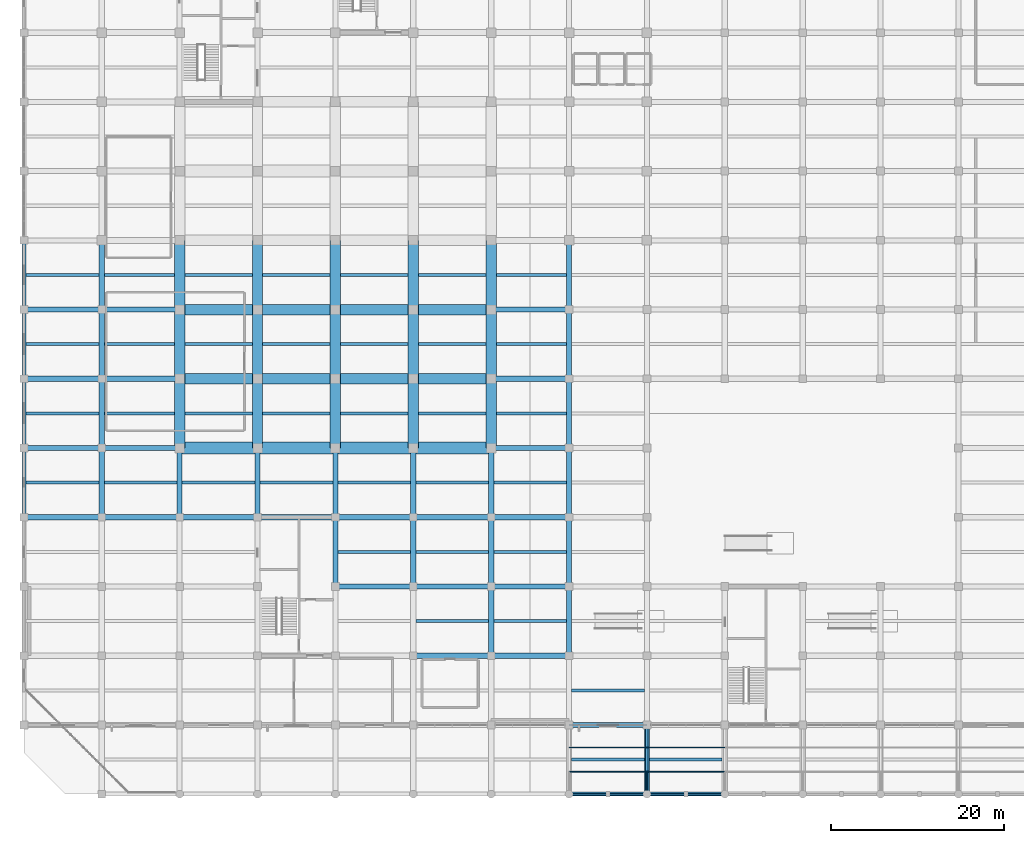
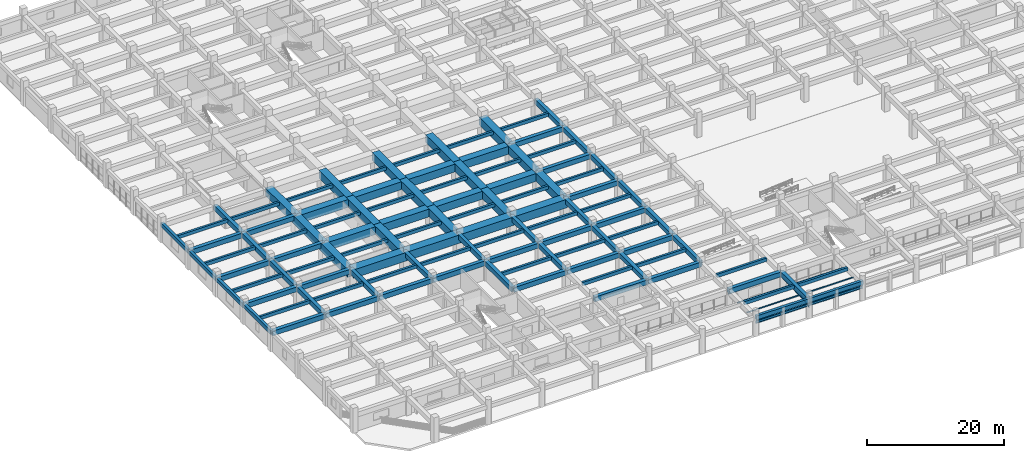
# One storey, part 4 of 40: 113 beams, 7 members.
"""IFC4 building model written with IfcOpenShell, lengths in metres."""

from ifc_helpers import new_model, si_unit, direction, frame, origin, origin_2d, place, context, subcontext, project, spatial, rectangle, hollow_rectangle, hollow_circle, i_section, extrude, material, material_profile, profile_set, type_object, element, save


model = new_model("IFC4")

# Units and contexts
model_context = context("Model", 3, precision=1e-05, world=origin(), true_north=direction((0.0, 1.0)))
body_context = subcontext(model_context, "Body", "Model", "MODEL_VIEW")
ifc_project = project(units=[si_unit("LENGTHUNIT", "METRE"), si_unit("AREAUNIT", "SQUARE_METRE"), si_unit("VOLUMEUNIT", "CUBIC_METRE"), si_unit("PLANEANGLEUNIT", "RADIAN"), si_unit("MASSUNIT", "GRAM", prefix="KILO")], contexts=[model_context])

# Site, building, storey
site_placement = place(None, origin())
site = spatial("IfcSite", under=ifc_project, at=site_placement, CompositionType="ELEMENT")
building_placement = place(site_placement, origin())
building = spatial("IfcBuilding", under=site, at=building_placement, Name="Zaverband Oceanarium and Marine Research Institute", CompositionType="ELEMENT")
storey_placement = place(building_placement, origin())
storey = spatial("IfcBuildingStorey", under=building, at=storey_placement, Name="L00", CompositionType="ELEMENT", Elevation=0.0)

# Beams
ifc_material_1 = material(Name="Concrete C40/50", Category="concrete")
ifc_material_profile_1 = material_profile(ifc_material_1, rectangle(XDim=0.60009765625, YDim=0.85009765625, at=origin_2d()), Name="RC600x850")
ifc_profile_set_1 = profile_set([ifc_material_profile_1], Name="Concrete C40/50")
beam_type_1 = type_object("IfcBeamType", Name="BM-600x850", PredefinedType="BEAM", material=ifc_profile_set_1)
for number, where, z_axis, x_axis, name in (
    (1, (63.0, 8.0, 3.02490234375), (1.0, 0.0, 0.0), (0.0, 1.0, 0.0), "Primary floor girder BM-600x850"),
    (2, (45.0, 16.0, 3.02490234375), (1.0, 0.0, 0.0), (0.0, 1.0, 0.0), "Primary floor girder BM-600x850"),
    (3, (54.0, 16.0, 3.02490234375), (1.0, 0.0, 0.0), (0.0, 1.0, 0.0), "Primary floor girder BM-600x850"),
    (4, (36.0, 24.0, 3.02490234375), (1.0, 0.0, 0.0), (0.0, 1.0, 0.0), "Primary floor girder BM-600x850"),
    (5, (45.0, 24.0, 3.02490234375), (1.0, 0.0, 0.0), (0.0, 1.0, 0.0), "Primary floor girder BM-600x850"),
    (6, (54.0, 24.0, 3.02490234375), (1.0, 0.0, 0.0), (0.0, 1.0, 0.0), "Primary floor girder BM-600x850"),
    (7, (0.0, 32.0, 3.02490234375), (1.0, 0.0, 0.0), (0.0, 1.0, 0.0), "Primary floor girder BM-600x850"),
    (8, (9.0, 32.0, 3.02490234375), (1.0, 0.0, 0.0), (0.0, 1.0, 0.0), "Primary floor girder BM-600x850"),
    (9, (18.0, 32.0, 3.02490234375), (1.0, 0.0, 0.0), (0.0, 1.0, 0.0), "Primary floor girder BM-600x850"),
    (10, (27.0, 32.0, 3.02490234375), (1.0, 0.0, 0.0), (0.0, 1.0, 0.0), "Primary floor girder BM-600x850"),
    (11, (36.0, 32.0, 3.02490234375), (1.0, 0.0, 0.0), (0.0, 1.0, 0.0), "Primary floor girder BM-600x850"),
    (12, (45.0, 32.0, 3.02490234375), (1.0, 0.0, 0.0), (0.0, 1.0, 0.0), "Primary floor girder BM-600x850"),
    (13, (54.0, 32.0, 3.02490234375), (1.0, 0.0, 0.0), (0.0, 1.0, 0.0), "Primary floor girder BM-600x850"),
    (14, (0.0, 40.0, 3.02490234375), (1.0, 0.0, 0.0), (0.0, 1.0, 0.0), "Primary floor girder BM-600x850"),
    (15, (9.0, 40.0, 3.02490234375), (1.0, 0.0, 0.0), (0.0, 1.0, 0.0), "Primary floor girder BM-600x850"),
    (16, (54.0, 40.0, 3.02490234375), (1.0, 0.0, 0.0), (0.0, 1.0, 0.0), "Primary floor girder BM-600x850"),
    (17, (0.0, 48.0, 2.875), (1.0, 0.0, 0.0), (0.0, 1.0, 0.0), "Primary floor girder BM-600x850"),
    (18, (9.0, 48.0, 2.875), (1.0, 0.0, 0.0), (0.0, 1.0, 0.0), "Primary floor girder BM-600x850"),
    (19, (54.0, 48.0, 2.875), (1.0, 0.0, 0.0), (0.0, 1.0, 0.0), "Primary floor girder BM-600x850"),
    (20, (0.0, 56.0, 2.875), (1.0, 0.0, 0.0), (0.0, 1.0, 0.0), "Primary floor girder BM-600x850"),
    (21, (9.0, 56.0, 2.875), (1.0, 0.0, 0.0), (0.0, 1.0, 0.0), "Primary floor girder BM-600x850"),
    (22, (54.0, 56.0, 2.875), (1.0, 0.0, 0.0), (0.0, 1.0, 0.0), "Primary floor girder BM-600x850"),
):
    element("IfcBeam", number, at=place(storey_placement, frame(where, z_axis=z_axis, x_axis=x_axis)), inside=storey, type_object=beam_type_1, Name=name, PredefinedType="BEAM", context=body_context, shape_type="SweptSolid", body=[
        extrude(rectangle(XDim=0.60009765625, YDim=0.85009765625, at=origin_2d()), origin(), (0.0, 0.0, 1.0), 9.0),
    ])
for number, where, z_axis, x_axis, name in (
    (23, (9.0, 32.0, 3.02490234375), (0.0, 1.0, 0.0), (-1.0, 0.0, 0.0), "Primary floor girder BM-600x850"),
    (24, (9.0, 40.0, 2.875), (0.0, 1.0, 0.0), (-1.0, 0.0, 0.0), "Primary floor girder BM-600x850"),
    (25, (9.0, 48.0, 2.875), (0.0, 1.0, 0.0), (-1.0, 0.0, 0.0), "Primary floor girder BM-600x850"),
    (26, (9.0, 56.0, 2.875), (0.0, 1.0, 0.0), (-1.0, 0.0, 0.0), "Primary floor girder BM-600x850"),
    (27, (18.0, 32.0, 3.02490234375), (0.0, 1.0, 0.0), (-1.0, 0.0, 0.0), "Primary floor girder BM-600x850"),
    (28, (27.0, 32.0, 3.02490234375), (0.0, 1.0, 0.0), (-1.0, 0.0, 0.0), "Primary floor girder BM-600x850"),
    (29, (36.0, 24.0, 3.02490234375), (0.0, 1.0, 0.0), (-1.0, 0.0, 0.0), "Primary floor girder BM-600x850"),
    (30, (36.0, 32.0, 3.02490234375), (0.0, 1.0, 0.0), (-1.0, 0.0, 0.0), "Primary floor girder BM-600x850"),
    (31, (45.0, 24.0, 3.02490234375), (0.0, 1.0, 0.0), (-1.0, 0.0, 0.0), "Primary floor girder BM-600x850"),
    (32, (45.0, 32.0, 3.02490234375), (0.0, 1.0, 0.0), (-1.0, 0.0, 0.0), "Primary floor girder BM-600x850"),
    (33, (54.0, 16.0, 3.02490234375), (0.0, 1.0, 0.0), (-1.0, 0.0, 0.0), "Primary floor girder BM-600x850"),
    (34, (54.0, 24.0, 3.02490234375), (0.0, 1.0, 0.0), (-1.0, 0.0, 0.0), "Primary floor girder BM-600x850"),
    (35, (54.0, 32.0, 3.02490234375), (0.0, 1.0, 0.0), (-1.0, 0.0, 0.0), "Primary floor girder BM-600x850"),
    (36, (63.0, 16.0, 3.02490234375), (0.0, 1.0, 0.0), (-1.0, 0.0, 0.0), "Primary floor girder BM-600x850"),
    (37, (63.0, 24.0, 3.02490234375), (0.0, 1.0, 0.0), (-1.0, 0.0, 0.0), "Primary floor girder BM-600x850"),
    (38, (63.0, 32.0, 3.02490234375), (0.0, 1.0, 0.0), (-1.0, 0.0, 0.0), "Primary floor girder BM-600x850"),
    (39, (63.0, 40.0, 2.875), (0.0, 1.0, 0.0), (-1.0, 0.0, 0.0), "Primary floor girder BM-600x850"),
    (40, (63.0, 48.0, 2.875), (0.0, 1.0, 0.0), (-1.0, 0.0, 0.0), "Primary floor girder BM-600x850"),
    (41, (63.0, 56.0, 2.875), (0.0, 1.0, 0.0), (-1.0, 0.0, 0.0), "Primary floor girder BM-600x850"),
    (42, (72.0, 0.0, 3.02490234375), (0.0, 1.0, 0.0), (-1.0, 0.0, 0.0), "Primary floor girder BM-600x850"),
):
    element("IfcBeam", number, at=place(storey_placement, frame(where, z_axis=z_axis, x_axis=x_axis)), inside=storey, type_object=beam_type_1, Name=name, PredefinedType="BEAM", context=body_context, shape_type="SweptSolid", body=[
        extrude(rectangle(XDim=0.60009765625, YDim=0.85009765625, at=origin_2d()), origin(), (0.0, 0.0, 1.0), 8.0),
    ])

# Member
ifc_material_2 = material(Name="Steel S355", Category="steel")
ifc_material_profile_2 = material_profile(ifc_material_2, hollow_rectangle(XDim=0.14990234375, YDim=0.25, WallThickness=0.010009765625, at=origin_2d()), Name="RHS250x150x10")
ifc_profile_set_2 = profile_set([ifc_material_profile_2], Name="Steel S355")
member_type_1 = type_object("IfcMemberType", Name="CHD-RHS250", PredefinedType="CHORD", material=ifc_profile_set_2)
member_1_placement = place(storey_placement, frame((63.0, 8.0, 2.4599609375), z_axis=(1.0, 0.0, 0.0), x_axis=(0.0, 1.0, 0.0)))
element("IfcMember", 43, at=member_1_placement, inside=storey, type_object=member_type_1, Name="Truss / crown chord CHD-RHS250", PredefinedType="CHORD", context=body_context, shape_type="SweptSolid", body=[
    extrude(hollow_rectangle(XDim=0.14990234375, YDim=0.25, WallThickness=0.010009765625, at=origin_2d()), origin(), (0.0, 0.0, 1.0), 9.0),
])

# Beams
ifc_material_profile_3 = material_profile(ifc_material_1, rectangle(XDim=0.35009765625, YDim=0.60009765625, at=origin_2d()), Name="RC350x600")
ifc_profile_set_3 = profile_set([ifc_material_profile_3], Name="Concrete C40/50")
beam_type_2 = type_object("IfcBeamType", Name="JST-350x600", PredefinedType="JOIST", material=ifc_profile_set_3)
for number, where, z_axis, x_axis, name in (
    (44, (0.22509765625, 36.0, 3.14990234375), (1.0, 0.0, 0.0), (0.0, 1.0, 0.0), "Secondary floor joist JST-350x600"),
    (45, (0.22509765625, 44.0, 3.0), (1.0, 0.0, 0.0), (0.0, 1.0, 0.0), "Secondary floor joist JST-350x600"),
    (46, (0.22509765625, 52.0, 3.0), (1.0, 0.0, 0.0), (0.0, 1.0, 0.0), "Secondary floor joist JST-350x600"),
    (47, (0.22509765625, 60.0, 3.0), (1.0, 0.0, 0.0), (0.0, 1.0, 0.0), "Secondary floor joist JST-350x600"),
):
    element("IfcBeam", number, at=place(storey_placement, frame(where, z_axis=z_axis, x_axis=x_axis)), inside=storey, type_object=beam_type_2, Name=name, PredefinedType="JOIST", context=body_context, shape_type="SweptSolid", body=[
        extrude(rectangle(XDim=0.35009765625, YDim=0.60009765625, at=origin_2d()), origin(), (0.0, 0.0, 1.0), 8.474853515625),
    ])
beam_1_placement = place(storey_placement, frame((9.300048828125, 36.0, 3.14990234375), z_axis=(1.0, 0.0, 0.0), x_axis=(0.0, 1.0, 0.0)))
element("IfcBeam", 48, at=beam_1_placement, inside=storey, type_object=beam_type_2, Name="Secondary floor joist JST-350x600", PredefinedType="JOIST", context=body_context, shape_type="SweptSolid", body=[
    extrude(rectangle(XDim=0.35009765625, YDim=0.60009765625, at=origin_2d()), origin(), (0.0, 0.0, 1.0), 8.39990234375),
])
for number, where, z_axis, x_axis, name in (
    (49, (9.300048828125, 44.0, 3.0), (1.0, 0.0, 0.0), (0.0, 1.0, 0.0), "Secondary floor joist JST-350x600"),
    (50, (9.300048828125, 52.0, 3.0), (1.0, 0.0, 0.0), (0.0, 1.0, 0.0), "Secondary floor joist JST-350x600"),
    (51, (9.300048828125, 60.0, 3.0), (1.0, 0.0, 0.0), (0.0, 1.0, 0.0), "Secondary floor joist JST-350x600"),
):
    element("IfcBeam", number, at=place(storey_placement, frame(where, z_axis=z_axis, x_axis=x_axis)), inside=storey, type_object=beam_type_2, Name=name, PredefinedType="JOIST", context=body_context, shape_type="SweptSolid", body=[
        extrude(rectangle(XDim=0.35009765625, YDim=0.60009765625, at=origin_2d()), origin(), (0.0, 0.0, 1.0), 8.099853515625),
    ])
beam_2_placement = place(storey_placement, frame((18.300048828125, 36.0, 3.14990234375), z_axis=(1.0, 0.0, 0.0), x_axis=(0.0, 1.0, 0.0)))
element("IfcBeam", 52, at=beam_2_placement, inside=storey, type_object=beam_type_2, Name="Secondary floor joist JST-350x600", PredefinedType="JOIST", context=body_context, shape_type="SweptSolid", body=[
    extrude(rectangle(XDim=0.35009765625, YDim=0.60009765625, at=origin_2d()), origin(), (0.0, 0.0, 1.0), 8.39990234375),
])
for number, where, z_axis, x_axis, name in (
    (53, (18.60009765625, 44.0, 3.0), (1.0, 0.0, 0.0), (0.0, 1.0, 0.0), "Secondary floor joist JST-350x600"),
    (54, (18.60009765625, 52.0, 3.0), (1.0, 0.0, 0.0), (0.0, 1.0, 0.0), "Secondary floor joist JST-350x600"),
    (55, (18.60009765625, 60.0, 3.0), (1.0, 0.0, 0.0), (0.0, 1.0, 0.0), "Secondary floor joist JST-350x600"),
):
    element("IfcBeam", number, at=place(storey_placement, frame(where, z_axis=z_axis, x_axis=x_axis)), inside=storey, type_object=beam_type_2, Name=name, PredefinedType="JOIST", context=body_context, shape_type="SweptSolid", body=[
        extrude(rectangle(XDim=0.35009765625, YDim=0.60009765625, at=origin_2d()), origin(), (0.0, 0.0, 1.0), 7.7998046875),
    ])
beam_3_placement = place(storey_placement, frame((27.300048828125, 36.0, 3.14990234375), z_axis=(1.0, 0.0, 0.0), x_axis=(0.0, 1.0, 0.0)))
element("IfcBeam", 56, at=beam_3_placement, inside=storey, type_object=beam_type_2, Name="Secondary floor joist JST-350x600", PredefinedType="JOIST", context=body_context, shape_type="SweptSolid", body=[
    extrude(rectangle(XDim=0.35009765625, YDim=0.60009765625, at=origin_2d()), origin(), (0.0, 0.0, 1.0), 8.39990234375),
])
for number, where, z_axis, x_axis, name in (
    (57, (27.60009765625, 44.0, 3.0), (1.0, 0.0, 0.0), (0.0, 1.0, 0.0), "Secondary floor joist JST-350x600"),
    (58, (27.60009765625, 52.0, 3.0), (1.0, 0.0, 0.0), (0.0, 1.0, 0.0), "Secondary floor joist JST-350x600"),
    (59, (27.60009765625, 60.0, 3.0), (1.0, 0.0, 0.0), (0.0, 1.0, 0.0), "Secondary floor joist JST-350x600"),
):
    element("IfcBeam", number, at=place(storey_placement, frame(where, z_axis=z_axis, x_axis=x_axis)), inside=storey, type_object=beam_type_2, Name=name, PredefinedType="JOIST", context=body_context, shape_type="SweptSolid", body=[
        extrude(rectangle(XDim=0.35009765625, YDim=0.60009765625, at=origin_2d()), origin(), (0.0, 0.0, 1.0), 7.7998046875),
    ])
for number, where, z_axis, x_axis, name in (
    (60, (36.300048828125, 28.0, 3.14990234375), (1.0, 0.0, 0.0), (0.0, 1.0, 0.0), "Secondary floor joist JST-350x600"),
    (61, (36.300048828125, 36.0, 3.14990234375), (1.0, 0.0, 0.0), (0.0, 1.0, 0.0), "Secondary floor joist JST-350x600"),
):
    element("IfcBeam", number, at=place(storey_placement, frame(where, z_axis=z_axis, x_axis=x_axis)), inside=storey, type_object=beam_type_2, Name=name, PredefinedType="JOIST", context=body_context, shape_type="SweptSolid", body=[
        extrude(rectangle(XDim=0.35009765625, YDim=0.60009765625, at=origin_2d()), origin(), (0.0, 0.0, 1.0), 8.39990234375),
    ])
for number, where, z_axis, x_axis, name in (
    (62, (36.60009765625, 44.0, 3.0), (1.0, 0.0, 0.0), (0.0, 1.0, 0.0), "Secondary floor joist JST-350x600"),
    (63, (36.60009765625, 52.0, 3.0), (1.0, 0.0, 0.0), (0.0, 1.0, 0.0), "Secondary floor joist JST-350x600"),
    (64, (36.60009765625, 60.0, 3.0), (1.0, 0.0, 0.0), (0.0, 1.0, 0.0), "Secondary floor joist JST-350x600"),
):
    element("IfcBeam", number, at=place(storey_placement, frame(where, z_axis=z_axis, x_axis=x_axis)), inside=storey, type_object=beam_type_2, Name=name, PredefinedType="JOIST", context=body_context, shape_type="SweptSolid", body=[
        extrude(rectangle(XDim=0.35009765625, YDim=0.60009765625, at=origin_2d()), origin(), (0.0, 0.0, 1.0), 7.7998046875),
    ])
for number, where, z_axis, x_axis, name in (
    (65, (45.300048828125, 20.0, 3.14990234375), (1.0, 0.0, 0.0), (0.0, 1.0, 0.0), "Secondary floor joist JST-350x600"),
    (66, (45.300048828125, 28.0, 3.14990234375), (1.0, 0.0, 0.0), (0.0, 1.0, 0.0), "Secondary floor joist JST-350x600"),
    (67, (45.300048828125, 36.0, 3.14990234375), (1.0, 0.0, 0.0), (0.0, 1.0, 0.0), "Secondary floor joist JST-350x600"),
):
    element("IfcBeam", number, at=place(storey_placement, frame(where, z_axis=z_axis, x_axis=x_axis)), inside=storey, type_object=beam_type_2, Name=name, PredefinedType="JOIST", context=body_context, shape_type="SweptSolid", body=[
        extrude(rectangle(XDim=0.35009765625, YDim=0.60009765625, at=origin_2d()), origin(), (0.0, 0.0, 1.0), 8.39990234375),
    ])
for number, where, z_axis, x_axis, name in (
    (68, (45.60009765625, 44.0, 3.0), (1.0, 0.0, 0.0), (0.0, 1.0, 0.0), "Secondary floor joist JST-350x600"),
    (69, (45.60009765625, 52.0, 3.0), (1.0, 0.0, 0.0), (0.0, 1.0, 0.0), "Secondary floor joist JST-350x600"),
    (70, (45.60009765625, 60.0, 3.0), (1.0, 0.0, 0.0), (0.0, 1.0, 0.0), "Secondary floor joist JST-350x600"),
):
    element("IfcBeam", number, at=place(storey_placement, frame(where, z_axis=z_axis, x_axis=x_axis)), inside=storey, type_object=beam_type_2, Name=name, PredefinedType="JOIST", context=body_context, shape_type="SweptSolid", body=[
        extrude(rectangle(XDim=0.35009765625, YDim=0.60009765625, at=origin_2d()), origin(), (0.0, 0.0, 1.0), 7.7998046875),
    ])
for number, where, z_axis, x_axis, name in (
    (71, (54.300048828125, 20.0, 3.14990234375), (1.0, 0.0, 0.0), (0.0, 1.0, 0.0), "Secondary floor joist JST-350x600"),
    (72, (54.300048828125, 28.0, 3.14990234375), (1.0, 0.0, 0.0), (0.0, 1.0, 0.0), "Secondary floor joist JST-350x600"),
    (73, (54.300048828125, 36.0, 3.14990234375), (1.0, 0.0, 0.0), (0.0, 1.0, 0.0), "Secondary floor joist JST-350x600"),
):
    element("IfcBeam", number, at=place(storey_placement, frame(where, z_axis=z_axis, x_axis=x_axis)), inside=storey, type_object=beam_type_2, Name=name, PredefinedType="JOIST", context=body_context, shape_type="SweptSolid", body=[
        extrude(rectangle(XDim=0.35009765625, YDim=0.60009765625, at=origin_2d()), origin(), (0.0, 0.0, 1.0), 8.39990234375),
    ])
for number, where, z_axis, x_axis, name in (
    (74, (54.60009765625, 44.0, 3.0), (1.0, 0.0, 0.0), (0.0, 1.0, 0.0), "Secondary floor joist JST-350x600"),
    (75, (54.60009765625, 52.0, 3.0), (1.0, 0.0, 0.0), (0.0, 1.0, 0.0), "Secondary floor joist JST-350x600"),
    (76, (54.60009765625, 60.0, 3.0), (1.0, 0.0, 0.0), (0.0, 1.0, 0.0), "Secondary floor joist JST-350x600"),
):
    element("IfcBeam", number, at=place(storey_placement, frame(where, z_axis=z_axis, x_axis=x_axis)), inside=storey, type_object=beam_type_2, Name=name, PredefinedType="JOIST", context=body_context, shape_type="SweptSolid", body=[
        extrude(rectangle(XDim=0.35009765625, YDim=0.60009765625, at=origin_2d()), origin(), (0.0, 0.0, 1.0), 8.099853515625),
    ])
for number, where, z_axis, x_axis, name in (
    (77, (63.300048828125, 4.0, 3.14990234375), (1.0, 0.0, 0.0), (0.0, 1.0, 0.0), "Secondary floor joist JST-350x600"),
    (78, (63.300048828125, 12.0, 3.14990234375), (1.0, 0.0, 0.0), (0.0, 1.0, 0.0), "Secondary floor joist JST-350x600"),
    (79, (72.300048828125, 4.0, 3.14990234375), (1.0, 0.0, 0.0), (0.0, 1.0, 0.0), "Secondary floor joist JST-350x600"),
):
    element("IfcBeam", number, at=place(storey_placement, frame(where, z_axis=z_axis, x_axis=x_axis)), inside=storey, type_object=beam_type_2, Name=name, PredefinedType="JOIST", context=body_context, shape_type="SweptSolid", body=[
        extrude(rectangle(XDim=0.35009765625, YDim=0.60009765625, at=origin_2d()), origin(), (0.0, 0.0, 1.0), 8.39990234375),
    ])

# Members
ifc_material_profile_4 = material_profile(ifc_material_2, hollow_rectangle(XDim=0.10009765625, YDim=0.199951171875, WallThickness=0.008056640625, at=origin_2d()), Name="RHS200x100x8")
ifc_profile_set_4 = profile_set([ifc_material_profile_4], Name="Steel S355")
member_type_2 = type_object("IfcMemberType", Name="PUR-RHS200", PredefinedType="PURLIN", material=ifc_profile_set_4)
for number, where, z_axis, x_axis, name in (
    (80, (63.0, 2.60009765625, 2.3798828125), (1.0, 0.0, 0.0), (0.0, 1.0, 0.0), "Screen / canopy purlin PUR-RHS200"),
    (81, (63.0, 5.39990234375, 2.39990234375), (1.0, 0.0, 0.0), (0.0, 1.0, 0.0), "Screen / canopy purlin PUR-RHS200"),
    (82, (72.0, 2.60009765625, 2.3798828125), (1.0, 0.0, 0.0), (0.0, 1.0, 0.0), "Screen / canopy purlin PUR-RHS200"),
    (83, (72.0, 5.39990234375, 2.39990234375), (1.0, 0.0, 0.0), (0.0, 1.0, 0.0), "Screen / canopy purlin PUR-RHS200"),
):
    element("IfcMember", number, at=place(storey_placement, frame(where, z_axis=z_axis, x_axis=x_axis)), inside=storey, type_object=member_type_2, Name=name, PredefinedType="PURLIN", context=body_context, shape_type="SweptSolid", body=[
        extrude(hollow_rectangle(XDim=0.10009765625, YDim=0.199951171875, WallThickness=0.008056640625, at=origin_2d()), origin(), (0.0, 0.0, 1.0), 9.0),
    ])
ifc_material_profile_5 = material_profile(ifc_material_2, i_section(OverallWidth=0.280029296875, OverallDepth=0.27001953125, WebThickness=0.008056640625, FlangeThickness=0.012939453125, FilletRadius=0.02392578125, at=origin_2d()), Name="HEA280")
ifc_profile_set_5 = profile_set([ifc_material_profile_5], Name="Steel S355")
member_type_3 = type_object("IfcMemberType", Name="RAF-HEA280", PredefinedType="RAFTER", material=ifc_profile_set_5)
member_2_placement = place(storey_placement, frame((72.0, 0.0, 2.340087890625), z_axis=(0.0, 0.999972049853, 0.007476597663), x_axis=(-1.0, 0.0, 0.0)))
element("IfcMember", 84, at=member_2_placement, inside=storey, type_object=member_type_3, Name="Canopy / skylight rafter RAF-HEA280", PredefinedType="RAFTER", context=body_context, shape_type="SweptSolid", body=[
    extrude(i_section(OverallWidth=0.280029296875, OverallDepth=0.27001953125, WebThickness=0.008056640625, FlangeThickness=0.012939453125, FilletRadius=0.02392578125, at=origin_2d()), origin(), (0.0, 0.0, 1.0), 8.000244140625),
])

# Beams
ifc_material_profile_6 = material_profile(ifc_material_2, i_section(OverallWidth=0.18994140625, OverallDepth=0.449951171875, WebThickness=0.009521484375, FlangeThickness=0.0146484375, FilletRadius=0.02099609375, at=origin_2d()), Name="IPE450")
ifc_profile_set_6 = profile_set([ifc_material_profile_6], Name="Steel S355")
beam_type_3 = type_object("IfcBeamType", Name="SB-IPE450", PredefinedType="BEAM", material=ifc_profile_set_6)
for number, where, z_axis, x_axis, name in (
    (85, (63.0, 0.0, 2.2548828125), (1.0, 0.0, 0.0), (0.0, 1.0, 0.0), "Canopy spine beam SB-IPE450"),
    (86, (72.0, 0.0, 2.2548828125), (1.0, 0.0, 0.0), (0.0, 1.0, 0.0), "Canopy spine beam SB-IPE450"),
):
    element("IfcBeam", number, at=place(storey_placement, frame(where, z_axis=z_axis, x_axis=x_axis)), inside=storey, type_object=beam_type_3, Name=name, PredefinedType="BEAM", context=body_context, shape_type="SweptSolid", body=[
        extrude(i_section(OverallWidth=0.18994140625, OverallDepth=0.449951171875, WebThickness=0.009521484375, FlangeThickness=0.0146484375, FilletRadius=0.02099609375, at=origin_2d()), origin(), (0.0, 0.0, 1.0), 9.0),
    ])
ifc_material_profile_7 = material_profile(ifc_material_1, rectangle(XDim=0.449951171875, YDim=0.699951171875, at=origin_2d()), Name="RC450x700")
ifc_profile_set_7 = profile_set([ifc_material_profile_7], Name="Concrete C40/50")
beam_type_4 = type_object("IfcBeamType", Name="SPN-450x700", PredefinedType="SPANDREL", material=ifc_profile_set_7)
for number, where, z_axis, x_axis, name in (
    (87, (63.0, 0.0, 3.10009765625), (1.0, 0.0, 0.0), (0.0, 1.0, 0.0), "Perimeter spandrel beam SPN-450x700"),
    (88, (72.0, 0.0, 3.10009765625), (1.0, 0.0, 0.0), (0.0, 1.0, 0.0), "Perimeter spandrel beam SPN-450x700"),
):
    element("IfcBeam", number, at=place(storey_placement, frame(where, z_axis=z_axis, x_axis=x_axis)), inside=storey, type_object=beam_type_4, Name=name, PredefinedType="SPANDREL", context=body_context, shape_type="SweptSolid", body=[
        extrude(rectangle(XDim=0.449951171875, YDim=0.699951171875, at=origin_2d()), origin(), (0.0, 0.0, 1.0), 9.0),
    ])
for number, where, z_axis, x_axis, name in (
    (89, (0.0, 32.0, 3.10009765625), (0.0, 1.0, 0.0), (-1.0, 0.0, 0.0), "Perimeter spandrel beam SPN-450x700"),
    (90, (0.0, 40.0, 2.949951171875), (0.0, 1.0, 0.0), (-1.0, 0.0, 0.0), "Perimeter spandrel beam SPN-450x700"),
    (91, (0.0, 48.0, 2.949951171875), (0.0, 1.0, 0.0), (-1.0, 0.0, 0.0), "Perimeter spandrel beam SPN-450x700"),
    (92, (0.0, 56.0, 2.949951171875), (0.0, 1.0, 0.0), (-1.0, 0.0, 0.0), "Perimeter spandrel beam SPN-450x700"),
):
    element("IfcBeam", number, at=place(storey_placement, frame(where, z_axis=z_axis, x_axis=x_axis)), inside=storey, type_object=beam_type_4, Name=name, PredefinedType="SPANDREL", context=body_context, shape_type="SweptSolid", body=[
        extrude(rectangle(XDim=0.449951171875, YDim=0.699951171875, at=origin_2d()), origin(), (0.0, 0.0, 1.0), 8.0),
    ])

# Member
ifc_material_profile_8 = material_profile(ifc_material_2, hollow_circle(Radius=0.084228515625, WallThickness=0.00634765625, at=origin_2d()), Name="CHS168x6.3")
ifc_profile_set_8 = profile_set([ifc_material_profile_8], Name="Steel S355")
member_type_4 = type_object("IfcMemberType", Name="STR-CHS168", PredefinedType="STRUT", material=ifc_profile_set_8)
member_3_placement = place(storey_placement, frame((72.0, 0.0, 1.75), z_axis=(0.0, 0.971888083866, 0.235443310458), x_axis=(-1.0, 0.0, 0.0)))
element("IfcMember", 93, at=member_3_placement, inside=storey, type_object=member_type_4, Name="Canopy / tank strut STR-CHS168", PredefinedType="STRUT", context=body_context, shape_type="SweptSolid", body=[
    extrude(hollow_circle(Radius=0.084228515625, WallThickness=0.00634765625, at=origin_2d()), origin(), (0.0, 0.0, 1.0), 2.67529296875),
])

# Beams
ifc_material_3 = material(Name="Concrete C50/60", Category="concrete")
ifc_material_profile_9 = material_profile(ifc_material_3, rectangle(XDim=1.199951171875, YDim=1.39990234375, at=origin_2d()), Name="RC1200x1400")
ifc_profile_set_9 = profile_set([ifc_material_profile_9], Name="Concrete C50/60")
beam_type_5 = type_object("IfcBeamType", Name="TG-1200x1400", PredefinedType="BEAM", material=ifc_profile_set_9)
for number, where, z_axis, x_axis, name in (
    (94, (18.0, 48.0, 2.60009765625), (1.0, 0.0, 0.0), (0.0, 1.0, 0.0), "Heavy transfer girder TG-1200x1400"),
    (95, (27.0, 48.0, 2.60009765625), (1.0, 0.0, 0.0), (0.0, 1.0, 0.0), "Heavy transfer girder TG-1200x1400"),
    (96, (36.0, 48.0, 2.60009765625), (1.0, 0.0, 0.0), (0.0, 1.0, 0.0), "Heavy transfer girder TG-1200x1400"),
    (97, (45.0, 48.0, 2.60009765625), (1.0, 0.0, 0.0), (0.0, 1.0, 0.0), "Heavy transfer girder TG-1200x1400"),
    (98, (18.0, 56.0, 2.60009765625), (1.0, 0.0, 0.0), (0.0, 1.0, 0.0), "Heavy transfer girder TG-1200x1400"),
    (99, (27.0, 56.0, 2.60009765625), (1.0, 0.0, 0.0), (0.0, 1.0, 0.0), "Heavy transfer girder TG-1200x1400"),
    (100, (36.0, 56.0, 2.60009765625), (1.0, 0.0, 0.0), (0.0, 1.0, 0.0), "Heavy transfer girder TG-1200x1400"),
    (101, (45.0, 56.0, 2.60009765625), (1.0, 0.0, 0.0), (0.0, 1.0, 0.0), "Heavy transfer girder TG-1200x1400"),
):
    element("IfcBeam", number, at=place(storey_placement, frame(where, z_axis=z_axis, x_axis=x_axis)), inside=storey, type_object=beam_type_5, Name=name, PredefinedType="BEAM", context=body_context, shape_type="SweptSolid", body=[
        extrude(rectangle(XDim=1.199951171875, YDim=1.39990234375, at=origin_2d()), origin(), (0.0, 0.0, 1.0), 9.0),
    ])
for number, where, z_axis, x_axis, name in (
    (102, (18.0, 40.0, 2.60009765625), (0.0, 1.0, 0.0), (-1.0, 0.0, 0.0), "Heavy transfer girder TG-1200x1400"),
    (103, (18.0, 48.0, 2.60009765625), (0.0, 1.0, 0.0), (-1.0, 0.0, 0.0), "Heavy transfer girder TG-1200x1400"),
    (104, (18.0, 56.0, 2.60009765625), (0.0, 1.0, 0.0), (-1.0, 0.0, 0.0), "Heavy transfer girder TG-1200x1400"),
    (105, (27.0, 40.0, 2.60009765625), (0.0, 1.0, 0.0), (-1.0, 0.0, 0.0), "Heavy transfer girder TG-1200x1400"),
    (106, (27.0, 48.0, 2.60009765625), (0.0, 1.0, 0.0), (-1.0, 0.0, 0.0), "Heavy transfer girder TG-1200x1400"),
    (107, (27.0, 56.0, 2.60009765625), (0.0, 1.0, 0.0), (-1.0, 0.0, 0.0), "Heavy transfer girder TG-1200x1400"),
    (108, (36.0, 40.0, 2.60009765625), (0.0, 1.0, 0.0), (-1.0, 0.0, 0.0), "Heavy transfer girder TG-1200x1400"),
    (109, (36.0, 48.0, 2.60009765625), (0.0, 1.0, 0.0), (-1.0, 0.0, 0.0), "Heavy transfer girder TG-1200x1400"),
    (110, (36.0, 56.0, 2.60009765625), (0.0, 1.0, 0.0), (-1.0, 0.0, 0.0), "Heavy transfer girder TG-1200x1400"),
    (111, (45.0, 40.0, 2.60009765625), (0.0, 1.0, 0.0), (-1.0, 0.0, 0.0), "Heavy transfer girder TG-1200x1400"),
    (112, (45.0, 48.0, 2.60009765625), (0.0, 1.0, 0.0), (-1.0, 0.0, 0.0), "Heavy transfer girder TG-1200x1400"),
    (113, (45.0, 56.0, 2.60009765625), (0.0, 1.0, 0.0), (-1.0, 0.0, 0.0), "Heavy transfer girder TG-1200x1400"),
    (114, (54.0, 40.0, 2.60009765625), (0.0, 1.0, 0.0), (-1.0, 0.0, 0.0), "Heavy transfer girder TG-1200x1400"),
    (115, (54.0, 48.0, 2.60009765625), (0.0, 1.0, 0.0), (-1.0, 0.0, 0.0), "Heavy transfer girder TG-1200x1400"),
    (116, (54.0, 56.0, 2.60009765625), (0.0, 1.0, 0.0), (-1.0, 0.0, 0.0), "Heavy transfer girder TG-1200x1400"),
):
    element("IfcBeam", number, at=place(storey_placement, frame(where, z_axis=z_axis, x_axis=x_axis)), inside=storey, type_object=beam_type_5, Name=name, PredefinedType="BEAM", context=body_context, shape_type="SweptSolid", body=[
        extrude(rectangle(XDim=1.199951171875, YDim=1.39990234375, at=origin_2d()), origin(), (0.0, 0.0, 1.0), 8.0),
    ])
ifc_material_profile_10 = material_profile(ifc_material_3, rectangle(XDim=1.39990234375, YDim=1.5, at=origin_2d()), Name="RC1400x1500")
ifc_profile_set_10 = profile_set([ifc_material_profile_10], Name="Concrete C50/60")
beam_type_6 = type_object("IfcBeamType", Name="TG-1400x1500", PredefinedType="BEAM", material=ifc_profile_set_10)
for number, where, z_axis, x_axis, name in (
    (117, (18.0, 40.0, 2.699951171875), (1.0, 0.0, 0.0), (0.0, 1.0, 0.0), "Heavy transfer girder TG-1400x1500"),
    (118, (27.0, 40.0, 2.699951171875), (1.0, 0.0, 0.0), (0.0, 1.0, 0.0), "Heavy transfer girder TG-1400x1500"),
    (119, (36.0, 40.0, 2.699951171875), (1.0, 0.0, 0.0), (0.0, 1.0, 0.0), "Heavy transfer girder TG-1400x1500"),
    (120, (45.0, 40.0, 2.699951171875), (1.0, 0.0, 0.0), (0.0, 1.0, 0.0), "Heavy transfer girder TG-1400x1500"),
):
    element("IfcBeam", number, at=place(storey_placement, frame(where, z_axis=z_axis, x_axis=x_axis)), inside=storey, type_object=beam_type_6, Name=name, PredefinedType="BEAM", context=body_context, shape_type="SweptSolid", body=[
        extrude(rectangle(XDim=1.39990234375, YDim=1.5, at=origin_2d()), origin(), (0.0, 0.0, 1.0), 9.0),
    ])

save(model, "model.ifc")
